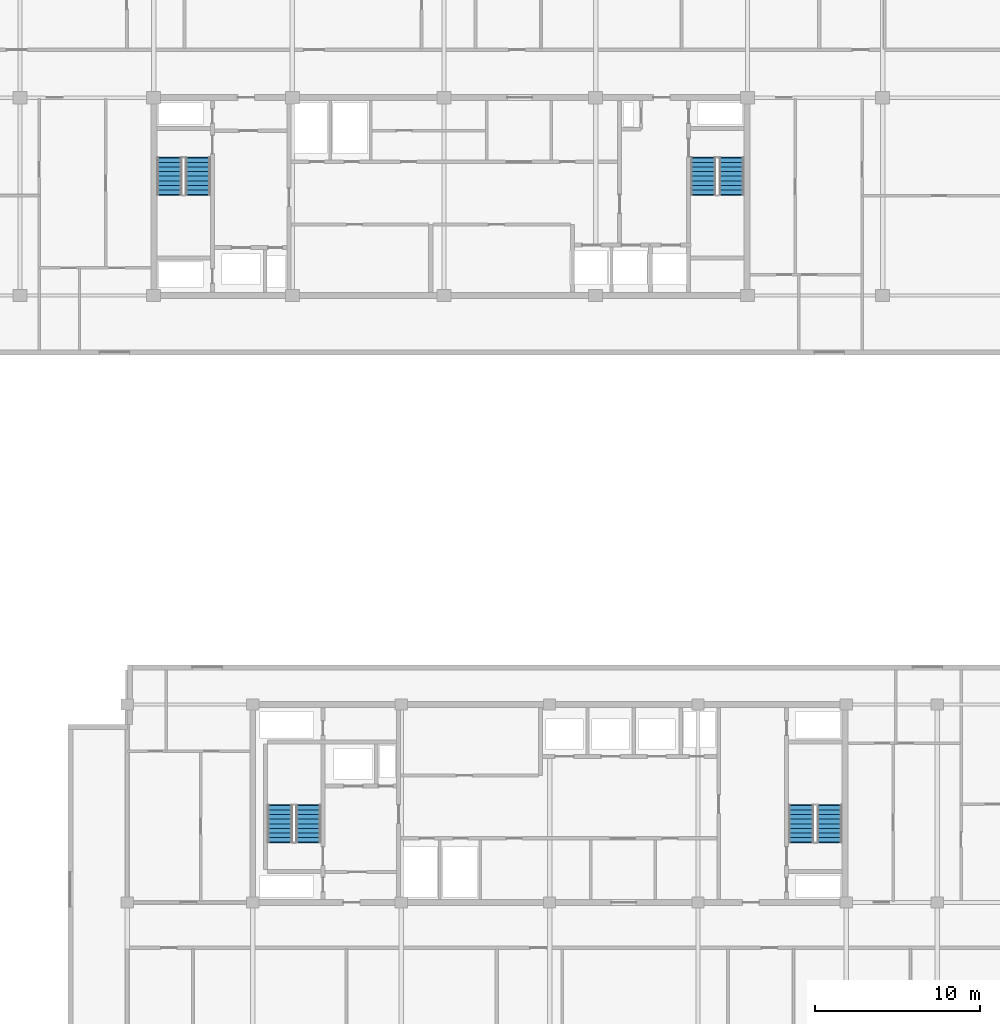
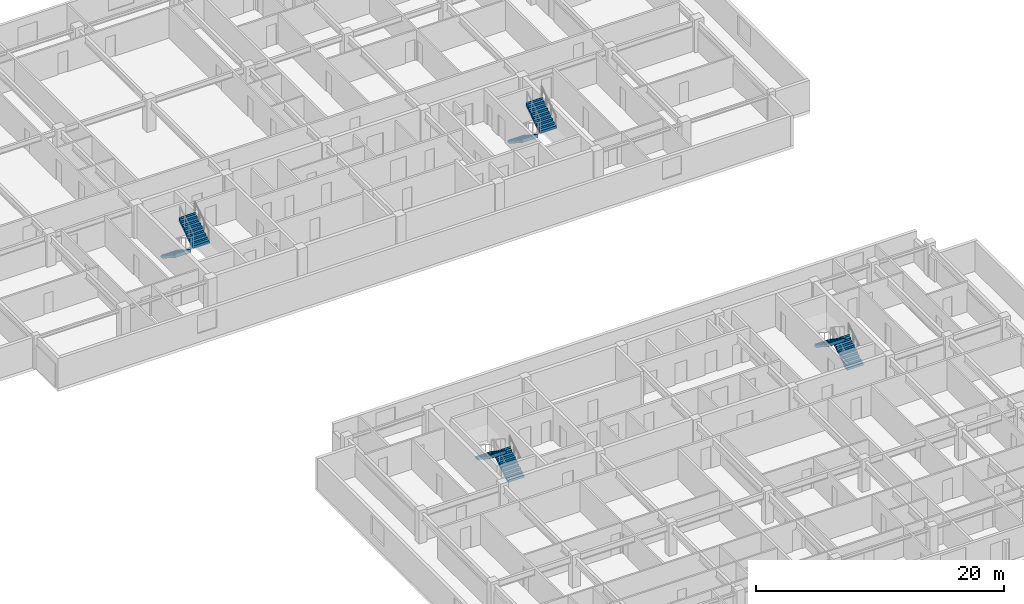
# One storey, part 17 of 22: 8 stair flights, 4 elements without a shape of their own.
"""IFC4 building model written with IfcOpenShell, lengths in metres."""

from ifc_helpers import new_model, si_unit, direction, frame, origin, place, context, subcontext, project, spatial, polyline, outline, extrude, material, type_object, element, aggregate, save


model = new_model("IFC4")

# Units and contexts
model_context = context("Model", 3, precision=1e-05, world=origin(), true_north=direction((0.0, 1.0)))
body_context = subcontext(model_context, "Body", "Model", "MODEL_VIEW")
ifc_project = project(units=[si_unit("LENGTHUNIT", "METRE"), si_unit("AREAUNIT", "SQUARE_METRE"), si_unit("VOLUMEUNIT", "CUBIC_METRE"), si_unit("PLANEANGLEUNIT", "RADIAN"), si_unit("MASSUNIT", "GRAM", prefix="KILO")], contexts=[model_context])

# Site, building, storey
site_placement = place(None, origin())
site = spatial("IfcSite", under=ifc_project, at=site_placement, CompositionType="ELEMENT")
building_placement = place(site_placement, origin())
building = spatial("IfcBuilding", under=site, at=building_placement, Name="Korimba Cascade Residences", CompositionType="ELEMENT")
storey_placement = place(building_placement, frame((0.0, 0.0, 194.60009765625)))
storey = spatial("IfcBuildingStorey", under=building, at=storey_placement, Name="L56", CompositionType="ELEMENT", Elevation=194.60009765625)

# Stair, stair flights
ifc_material = material(Name="Concrete C50/60", Category="concrete")
stair_type_1 = type_object("IfcStairType", Name="STR-W1-18R-1806", PredefinedType="HALF_TURN_STAIR", material=ifc_material)
stair_1_placement = place(storey_placement, origin())
stair_1 = element("IfcStair", 1, at=stair_1_placement, inside=storey, type_object=stair_type_1, Name="L56 Tower 1 West Fire Stair ST-W1", PredefinedType="HALF_TURN_STAIR")
stair_flight_type = type_object("IfcStairFlightType", Name="STF-DL-18R-1806-1520", PredefinedType="STRAIGHT", material=ifc_material)
stair_flight_1_placement = place(storey_placement, frame((77.06005859375, 63.550048828125, 0.0), z_axis=(0.0, 0.0, 1.0), x_axis=(0.0, -1.0, 0.0)))
stair_flight_1 = element("IfcStairFlight", 2, at=stair_flight_1_placement, type_object=stair_flight_type, Name="ST-W1 flight 1", NumberOfRisers=9, NumberOfTreads=8, PredefinedType="STRAIGHT", RiserHeight=0.180555556, TreadLength=0.28, context=body_context, shape_type="SweptSolid", body=[
    extrude(outline(polyline([(-0.0380859375, 0.0), (0.0, 0.1806640625), (0.280029296875, 0.1806640625), (0.280029296875, 0.361083984375), (0.56005859375, 0.361083984375), (0.56005859375, 0.541748046875), (0.840087890625, 0.541748046875), (0.840087890625, 0.72216796875), (1.1201171875, 0.72216796875), (1.1201171875, 0.90283203125), (1.39990234375, 0.90283203125), (1.39990234375, 1.083251953125), (1.679931640625, 1.083251953125), (1.679931640625, 1.263916015625), (1.9599609375, 1.263916015625), (1.9599609375, 1.4443359375), (2.239990234375, 1.4443359375), (2.239990234375, 1.625), (2.278076171875, 1.625), (2.278076171875, 1.26611328125), (0.276611328125, 0.0), (0.276611328125, -0.0380859375), (-0.0380859375, -0.0380859375), (-0.0380859375, 0.0)])), frame((0.0, 0.760009765625, 0.0), z_axis=(0.0, -1.0, 0.0), x_axis=(1.0, 0.0, 0.0)), (0.0, 0.0, 1.0), 1.52001953125),
])
stair_flight_2_placement = place(storey_placement, frame((78.780029296875, 61.31005859375, 1.625), z_axis=(0.0, 0.0, 1.0), x_axis=(0.0, 1.0, 0.0)))
stair_flight_2 = element("IfcStairFlight", 3, at=stair_flight_2_placement, type_object=stair_flight_type, Name="ST-W1 flight 2", NumberOfRisers=9, NumberOfTreads=8, PredefinedType="STRAIGHT", RiserHeight=0.180555556, TreadLength=0.28, context=body_context, shape_type="SweptSolid", body=[
    extrude(outline(polyline([(-0.0380859375, 0.0), (0.0, 0.1806640625), (0.280029296875, 0.1806640625), (0.280029296875, 0.361083984375), (0.56005859375, 0.361083984375), (0.56005859375, 0.541748046875), (0.840087890625, 0.541748046875), (0.840087890625, 0.72216796875), (1.1201171875, 0.72216796875), (1.1201171875, 0.90283203125), (1.39990234375, 0.90283203125), (1.39990234375, 1.083251953125), (1.679931640625, 1.083251953125), (1.679931640625, 1.263916015625), (1.9599609375, 1.263916015625), (1.9599609375, 1.4443359375), (2.239990234375, 1.4443359375), (2.239990234375, 1.625), (2.278076171875, 1.625), (2.278076171875, 1.26611328125), (0.276611328125, 0.0), (0.276611328125, -0.0380859375), (-0.0380859375, -0.0380859375), (-0.0380859375, 0.0)])), frame((0.0, 0.760009765625, 0.0), z_axis=(0.0, -1.0, 0.0), x_axis=(1.0, 0.0, 0.0)), (0.0, 0.0, 1.0), 1.52001953125),
])
aggregate(stair_1, [stair_flight_1, stair_flight_2])

stair_type_2 = type_object("IfcStairType", Name="STR-W2-18R-1806", PredefinedType="HALF_TURN_STAIR", material=ifc_material)
stair_2_placement = place(storey_placement, origin())
stair_2 = element("IfcStair", 4, at=stair_2_placement, inside=storey, type_object=stair_type_2, Name="L56 Tower 1 East Fire Stair ST-W2", PredefinedType="HALF_TURN_STAIR")
stair_flight_3_placement = place(storey_placement, frame((109.419921875, 63.550048828125, 0.0), z_axis=(0.0, 0.0, 1.0), x_axis=(0.0, -1.0, 0.0)))
stair_flight_3 = element("IfcStairFlight", 5, at=stair_flight_3_placement, type_object=stair_flight_type, Name="ST-W2 flight 1", NumberOfRisers=9, NumberOfTreads=8, PredefinedType="STRAIGHT", RiserHeight=0.180555556, TreadLength=0.28, context=body_context, shape_type="SweptSolid", body=[
    extrude(outline(polyline([(-0.0380859375, 0.0), (0.0, 0.1806640625), (0.280029296875, 0.1806640625), (0.280029296875, 0.361083984375), (0.56005859375, 0.361083984375), (0.56005859375, 0.541748046875), (0.840087890625, 0.541748046875), (0.840087890625, 0.72216796875), (1.1201171875, 0.72216796875), (1.1201171875, 0.90283203125), (1.39990234375, 0.90283203125), (1.39990234375, 1.083251953125), (1.679931640625, 1.083251953125), (1.679931640625, 1.263916015625), (1.9599609375, 1.263916015625), (1.9599609375, 1.4443359375), (2.239990234375, 1.4443359375), (2.239990234375, 1.625), (2.278076171875, 1.625), (2.278076171875, 1.26611328125), (0.276611328125, 0.0), (0.276611328125, -0.0380859375), (-0.0380859375, -0.0380859375), (-0.0380859375, 0.0)])), frame((0.0, 0.760009765625, 0.0), z_axis=(0.0, -1.0, 0.0), x_axis=(1.0, 0.0, 0.0)), (0.0, 0.0, 1.0), 1.52001953125),
])
stair_flight_4_placement = place(storey_placement, frame((111.139892578125, 61.31005859375, 1.625), z_axis=(0.0, 0.0, 1.0), x_axis=(0.0, 1.0, 0.0)))
stair_flight_4 = element("IfcStairFlight", 6, at=stair_flight_4_placement, type_object=stair_flight_type, Name="ST-W2 flight 2", NumberOfRisers=9, NumberOfTreads=8, PredefinedType="STRAIGHT", RiserHeight=0.180555556, TreadLength=0.28, context=body_context, shape_type="SweptSolid", body=[
    extrude(outline(polyline([(-0.0380859375, 0.0), (0.0, 0.1806640625), (0.280029296875, 0.1806640625), (0.280029296875, 0.361083984375), (0.56005859375, 0.361083984375), (0.56005859375, 0.541748046875), (0.840087890625, 0.541748046875), (0.840087890625, 0.72216796875), (1.1201171875, 0.72216796875), (1.1201171875, 0.90283203125), (1.39990234375, 0.90283203125), (1.39990234375, 1.083251953125), (1.679931640625, 1.083251953125), (1.679931640625, 1.263916015625), (1.9599609375, 1.263916015625), (1.9599609375, 1.4443359375), (2.239990234375, 1.4443359375), (2.239990234375, 1.625), (2.278076171875, 1.625), (2.278076171875, 1.26611328125), (0.276611328125, 0.0), (0.276611328125, -0.0380859375), (-0.0380859375, -0.0380859375), (-0.0380859375, 0.0)])), frame((0.0, 0.760009765625, 0.0), z_axis=(0.0, -1.0, 0.0), x_axis=(1.0, 0.0, 0.0)), (0.0, 0.0, 1.0), 1.52001953125),
])
aggregate(stair_2, [stair_flight_3, stair_flight_4])

stair_type_3 = type_object("IfcStairType", Name="STR-E1-18R-1806", PredefinedType="HALF_TURN_STAIR", material=ifc_material)
stair_3_placement = place(storey_placement, origin())
stair_3 = element("IfcStair", 7, at=stair_3_placement, inside=storey, type_object=stair_type_3, Name="L56 Tower 2 West Fire Stair ST-E1", PredefinedType="HALF_TURN_STAIR")
stair_flight_5_placement = place(storey_placement, frame((85.47998046875, 22.050048828125, 0.0), z_axis=(0.0, 0.0, 1.0), x_axis=(0.0, 1.0, 0.0)))
stair_flight_5 = element("IfcStairFlight", 8, at=stair_flight_5_placement, type_object=stair_flight_type, Name="ST-E1 flight 1", NumberOfRisers=9, NumberOfTreads=8, PredefinedType="STRAIGHT", RiserHeight=0.180555556, TreadLength=0.28, context=body_context, shape_type="SweptSolid", body=[
    extrude(outline(polyline([(-0.0380859375, 0.0), (0.0, 0.1806640625), (0.280029296875, 0.1806640625), (0.280029296875, 0.361083984375), (0.56005859375, 0.361083984375), (0.56005859375, 0.541748046875), (0.840087890625, 0.541748046875), (0.840087890625, 0.72216796875), (1.1201171875, 0.72216796875), (1.1201171875, 0.90283203125), (1.39990234375, 0.90283203125), (1.39990234375, 1.083251953125), (1.679931640625, 1.083251953125), (1.679931640625, 1.263916015625), (1.9599609375, 1.263916015625), (1.9599609375, 1.4443359375), (2.239990234375, 1.4443359375), (2.239990234375, 1.625), (2.278076171875, 1.625), (2.278076171875, 1.26611328125), (0.276611328125, 0.0), (0.276611328125, -0.0380859375), (-0.0380859375, -0.0380859375), (-0.0380859375, 0.0)])), frame((0.0, 0.760009765625, 0.0), z_axis=(0.0, -1.0, 0.0), x_axis=(1.0, 0.0, 0.0)), (0.0, 0.0, 1.0), 1.52001953125),
])
stair_flight_6_placement = place(storey_placement, frame((83.760009765625, 24.2900390625, 1.625), z_axis=(0.0, 0.0, 1.0), x_axis=(0.0, -1.0, 0.0)))
stair_flight_6 = element("IfcStairFlight", 9, at=stair_flight_6_placement, type_object=stair_flight_type, Name="ST-E1 flight 2", NumberOfRisers=9, NumberOfTreads=8, PredefinedType="STRAIGHT", RiserHeight=0.180555556, TreadLength=0.28, context=body_context, shape_type="SweptSolid", body=[
    extrude(outline(polyline([(-0.0380859375, 0.0), (0.0, 0.1806640625), (0.280029296875, 0.1806640625), (0.280029296875, 0.361083984375), (0.56005859375, 0.361083984375), (0.56005859375, 0.541748046875), (0.840087890625, 0.541748046875), (0.840087890625, 0.72216796875), (1.1201171875, 0.72216796875), (1.1201171875, 0.90283203125), (1.39990234375, 0.90283203125), (1.39990234375, 1.083251953125), (1.679931640625, 1.083251953125), (1.679931640625, 1.263916015625), (1.9599609375, 1.263916015625), (1.9599609375, 1.4443359375), (2.239990234375, 1.4443359375), (2.239990234375, 1.625), (2.278076171875, 1.625), (2.278076171875, 1.26611328125), (0.276611328125, 0.0), (0.276611328125, -0.0380859375), (-0.0380859375, -0.0380859375), (-0.0380859375, 0.0)])), frame((0.0, 0.760009765625, 0.0), z_axis=(0.0, -1.0, 0.0), x_axis=(1.0, 0.0, 0.0)), (0.0, 0.0, 1.0), 1.52001953125),
])
aggregate(stair_3, [stair_flight_5, stair_flight_6])

stair_type_4 = type_object("IfcStairType", Name="STR-E2-18R-1806", PredefinedType="HALF_TURN_STAIR", material=ifc_material)
stair_4_placement = place(storey_placement, origin())
stair_4 = element("IfcStair", 10, at=stair_4_placement, inside=storey, type_object=stair_type_4, Name="L56 Tower 2 East Fire Stair ST-E2", PredefinedType="HALF_TURN_STAIR")
stair_flight_7_placement = place(storey_placement, frame((117.080078125, 22.050048828125, 0.0), z_axis=(0.0, 0.0, 1.0), x_axis=(0.0, 1.0, 0.0)))
stair_flight_7 = element("IfcStairFlight", 11, at=stair_flight_7_placement, type_object=stair_flight_type, Name="ST-E2 flight 1", NumberOfRisers=9, NumberOfTreads=8, PredefinedType="STRAIGHT", RiserHeight=0.180555556, TreadLength=0.28, context=body_context, shape_type="SweptSolid", body=[
    extrude(outline(polyline([(-0.0380859375, 0.0), (0.0, 0.1806640625), (0.280029296875, 0.1806640625), (0.280029296875, 0.361083984375), (0.56005859375, 0.361083984375), (0.56005859375, 0.541748046875), (0.840087890625, 0.541748046875), (0.840087890625, 0.72216796875), (1.1201171875, 0.72216796875), (1.1201171875, 0.90283203125), (1.39990234375, 0.90283203125), (1.39990234375, 1.083251953125), (1.679931640625, 1.083251953125), (1.679931640625, 1.263916015625), (1.9599609375, 1.263916015625), (1.9599609375, 1.4443359375), (2.239990234375, 1.4443359375), (2.239990234375, 1.625), (2.278076171875, 1.625), (2.278076171875, 1.26611328125), (0.276611328125, 0.0), (0.276611328125, -0.0380859375), (-0.0380859375, -0.0380859375), (-0.0380859375, 0.0)])), frame((0.0, 0.760009765625, 0.0), z_axis=(0.0, -1.0, 0.0), x_axis=(1.0, 0.0, 0.0)), (0.0, 0.0, 1.0), 1.52001953125),
])
stair_flight_8_placement = place(storey_placement, frame((115.360107421875, 24.2900390625, 1.625), z_axis=(0.0, 0.0, 1.0), x_axis=(0.0, -1.0, 0.0)))
stair_flight_8 = element("IfcStairFlight", 12, at=stair_flight_8_placement, type_object=stair_flight_type, Name="ST-E2 flight 2", NumberOfRisers=9, NumberOfTreads=8, PredefinedType="STRAIGHT", RiserHeight=0.180555556, TreadLength=0.28, context=body_context, shape_type="SweptSolid", body=[
    extrude(outline(polyline([(-0.0380859375, 0.0), (0.0, 0.1806640625), (0.280029296875, 0.1806640625), (0.280029296875, 0.361083984375), (0.56005859375, 0.361083984375), (0.56005859375, 0.541748046875), (0.840087890625, 0.541748046875), (0.840087890625, 0.72216796875), (1.1201171875, 0.72216796875), (1.1201171875, 0.90283203125), (1.39990234375, 0.90283203125), (1.39990234375, 1.083251953125), (1.679931640625, 1.083251953125), (1.679931640625, 1.263916015625), (1.9599609375, 1.263916015625), (1.9599609375, 1.4443359375), (2.239990234375, 1.4443359375), (2.239990234375, 1.625), (2.278076171875, 1.625), (2.278076171875, 1.26611328125), (0.276611328125, 0.0), (0.276611328125, -0.0380859375), (-0.0380859375, -0.0380859375), (-0.0380859375, 0.0)])), frame((0.0, 0.760009765625, 0.0), z_axis=(0.0, -1.0, 0.0), x_axis=(1.0, 0.0, 0.0)), (0.0, 0.0, 1.0), 1.52001953125),
])
aggregate(stair_4, [stair_flight_7, stair_flight_8])

save(model, "model.ifc")
